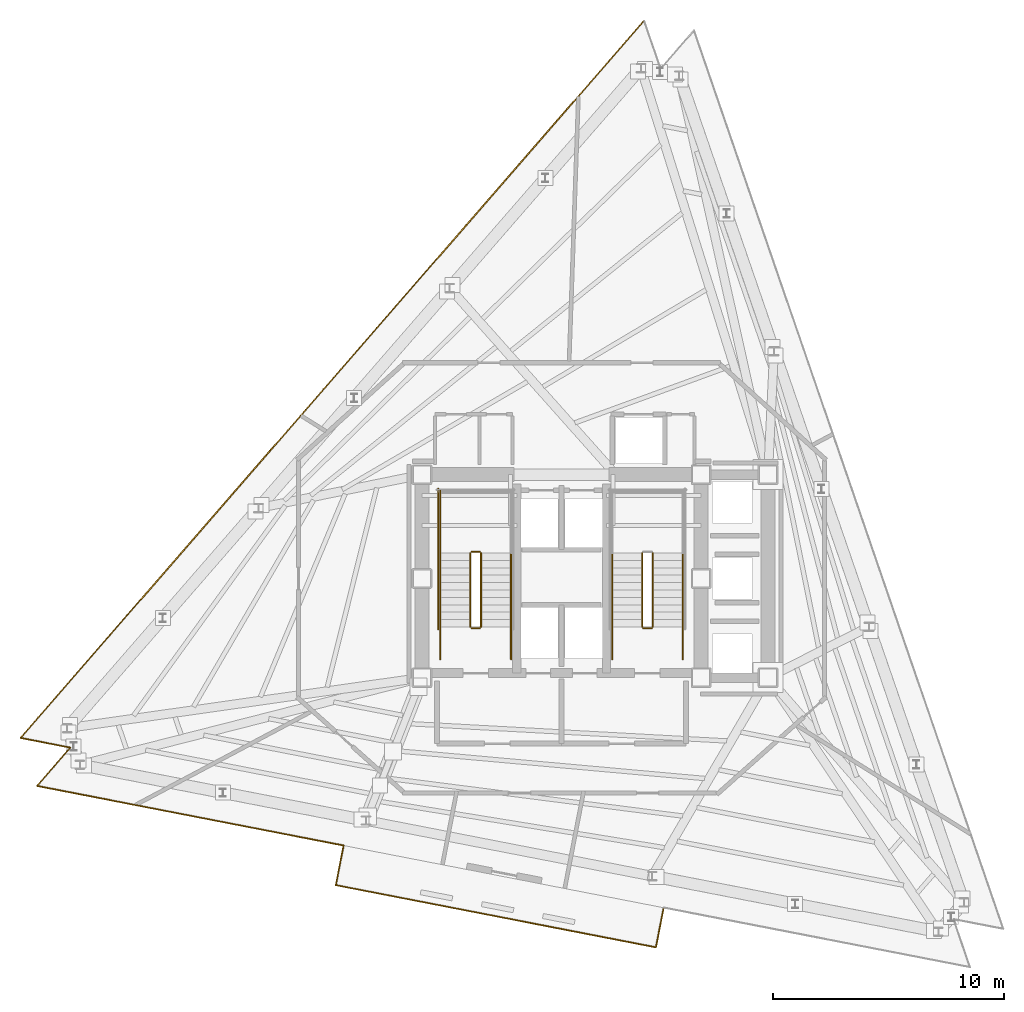
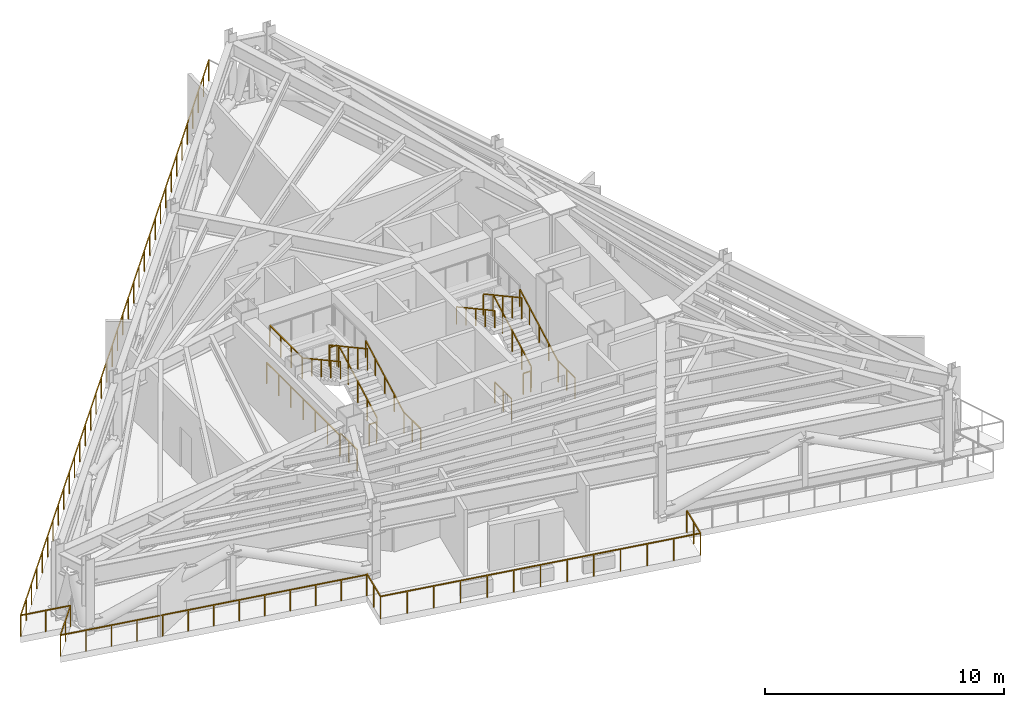
# One storey, part 7 of 8: 22 railings.
"""IFC4 building model written with IfcOpenShell, lengths in metres."""

from ifc_helpers import new_model, si_unit, direction, frame, origin, origin_2d, place, context, subcontext, project, spatial, rectangle, extrude, material, layer, layer_set, type_object, element, save


model = new_model("IFC4")

# Units and contexts
model_context = context("Model", 3, precision=1e-05, world=origin(), true_north=direction((0.0, 1.0)))
body_context = subcontext(model_context, "Body", "Model", "MODEL_VIEW")
ifc_project = project(units=[si_unit("LENGTHUNIT", "METRE"), si_unit("AREAUNIT", "SQUARE_METRE"), si_unit("VOLUMEUNIT", "CUBIC_METRE"), si_unit("PLANEANGLEUNIT", "RADIAN"), si_unit("MASSUNIT", "GRAM", prefix="KILO")], contexts=[model_context])

# Site, building, storey
site_placement = place(None, origin())
site = spatial("IfcSite", under=ifc_project, at=site_placement, CompositionType="ELEMENT")
building_placement = place(site_placement, origin())
building = spatial("IfcBuilding", under=site, at=building_placement, Name="Rocaltana Carrier Exchange", CompositionType="ELEMENT")
storey_placement = place(building_placement, frame((0.0, 0.0, 171.52001953125)))
storey = spatial("IfcBuildingStorey", under=building, at=storey_placement, Name="L54", CompositionType="ELEMENT", Elevation=171.52001953125)

# Railings
ifc_material_1 = material(Name="Anodised Aluminium 6063-T6 & Laminated Glass", Category="aluminium")
ifc_layer_1 = layer(ifc_material_1, 0.070068359375)
ifc_layer_set_1 = layer_set([ifc_layer_1], Name="Anodised Aluminium 6063-T6 & Laminated Glass")
railing_type_1 = type_object("IfcRailingType", Name="Sky-Garden Balustrade Guardrail 1150", PredefinedType="BALUSTRADE", material=ifc_layer_set_1)
railing_1_placement = place(storey_placement, frame((-9.448486328125, -11.573486328125, 0.0)))
element("IfcRailing", 1, at=railing_1_placement, inside=storey, type_object=railing_type_1, Name="L54 Sky Garden Balustrade", PredefinedType="BALUSTRADE", context=body_context, shape_type="SweptSolid", body=[
    extrude(rectangle(XDim=0.048095703125, YDim=0.048095703125, at=origin_2d()), frame((0.0, 0.0, 1.1259765625), z_axis=(-0.190854722299, -0.981618293929, 0.0), x_axis=(0.981618293929, -0.190854722299, 0.0)), (0.0, 0.0, 1.0), 1.75),
    extrude(rectangle(XDim=0.048095703125, YDim=0.048095703125, at=origin_2d()), frame((-0.333984375, -1.7177734375, 1.1259765625), z_axis=(0.981627344662, -0.190808165997, 0.0), x_axis=(0.190808165997, 0.981627344662, 0.0)), (0.0, 0.0, 1.0), 14.133544921875),
    extrude(rectangle(XDim=0.048095703125, YDim=0.048095703125, at=origin_2d()), frame((13.539794921875, -4.41455078125, 1.1259765625), z_axis=(0.190694168235, 0.981649496613, 0.0), x_axis=(-0.981649496613, 0.190694168235, 0.0)), (0.0, 0.0, 1.0), 1.750244140625),
    extrude(rectangle(XDim=0.0419921875, YDim=0.0419921875, at=origin_2d()), origin(), (0.0, 0.0, 1.0), 1.101806640625),
    extrude(rectangle(XDim=0.0419921875, YDim=0.0419921875, at=origin_2d()), frame((-0.1669921875, -0.85888671875, 0.0)), (0.0, 0.0, 1.0), 1.101806640625),
    extrude(rectangle(XDim=0.0419921875, YDim=0.0419921875, at=origin_2d()), frame((-0.333984375, -1.7177734375, 0.0)), (0.0, 0.0, 1.0), 1.101806640625),
    extrude(rectangle(XDim=0.0419921875, YDim=0.0419921875, at=origin_2d()), frame((0.822265625, -1.9423828125, 0.0)), (0.0, 0.0, 1.0), 1.101806640625),
    extrude(rectangle(XDim=0.0419921875, YDim=0.0419921875, at=origin_2d()), frame((1.978271484375, -2.167236328125, 0.0)), (0.0, 0.0, 1.0), 1.101806640625),
    extrude(rectangle(XDim=0.0419921875, YDim=0.0419921875, at=origin_2d()), frame((3.134521484375, -2.39208984375, 0.0)), (0.0, 0.0, 1.0), 1.101806640625),
    extrude(rectangle(XDim=0.0419921875, YDim=0.0419921875, at=origin_2d()), frame((4.29052734375, -2.61669921875, 0.0)), (0.0, 0.0, 1.0), 1.101806640625),
    extrude(rectangle(XDim=0.0419921875, YDim=0.0419921875, at=origin_2d()), frame((5.44677734375, -2.84130859375, 0.0)), (0.0, 0.0, 1.0), 1.101806640625),
    extrude(rectangle(XDim=0.0419921875, YDim=0.0419921875, at=origin_2d()), frame((6.60302734375, -3.066162109375, 0.0)), (0.0, 0.0, 1.0), 1.101806640625),
    extrude(rectangle(XDim=0.0419921875, YDim=0.0419921875, at=origin_2d()), frame((7.759033203125, -3.291015625, 0.0)), (0.0, 0.0, 1.0), 1.101806640625),
    extrude(rectangle(XDim=0.0419921875, YDim=0.0419921875, at=origin_2d()), frame((8.915283203125, -3.515625, 0.0)), (0.0, 0.0, 1.0), 1.101806640625),
    extrude(rectangle(XDim=0.0419921875, YDim=0.0419921875, at=origin_2d()), frame((10.0712890625, -3.740234375, 0.0)), (0.0, 0.0, 1.0), 1.101806640625),
    extrude(rectangle(XDim=0.0419921875, YDim=0.0419921875, at=origin_2d()), frame((11.2275390625, -3.965087890625, 0.0)), (0.0, 0.0, 1.0), 1.101806640625),
    extrude(rectangle(XDim=0.0419921875, YDim=0.0419921875, at=origin_2d()), frame((12.383544921875, -4.18994140625, 0.0)), (0.0, 0.0, 1.0), 1.101806640625),
    extrude(rectangle(XDim=0.0419921875, YDim=0.0419921875, at=origin_2d()), frame((13.539794921875, -4.41455078125, 0.0)), (0.0, 0.0, 1.0), 1.101806640625),
    extrude(rectangle(XDim=0.0419921875, YDim=0.0419921875, at=origin_2d()), frame((13.70654296875, -3.5556640625, 0.0)), (0.0, 0.0, 1.0), 1.101806640625),
    extrude(rectangle(XDim=0.0419921875, YDim=0.0419921875, at=origin_2d()), frame((13.87353515625, -2.696533203125, 0.0)), (0.0, 0.0, 1.0), 1.101806640625),
])
ifc_material_2 = material(Name="Brushed Architectural Stainless Tube", Category="steel")
ifc_layer_2 = layer(ifc_material_2, 0.048095703125)
ifc_layer_set_2 = layer_set([ifc_layer_2], Name="Brushed Architectural Stainless Tube")
railing_type_2 = type_object("IfcRailingType", Name="Stair Wall Handrail 920", PredefinedType="HANDRAIL", material=ifc_layer_set_2)
railing_2_placement = place(storey_placement, frame((-2.18994140625, -2.10009765625, 0.174560546875)))
element("IfcRailing", 2, at=railing_2_placement, inside=storey, type_object=railing_type_2, Name="L54 ST-1 stair handrail 1", PredefinedType="HANDRAIL", context=body_context, shape_type="SweptSolid", body=[
    extrude(rectangle(XDim=0.048095703125, YDim=0.048095703125, at=origin_2d()), frame((0.0, 0.0, 0.8759765625), z_axis=(0.0, 0.877918608156, 0.478809896987), x_axis=(-1.0, 0.0, 0.0)), (0.0, 0.0, 1.0), 3.645263671875),
    extrude(rectangle(XDim=0.0419921875, YDim=0.0419921875, at=origin_2d()), origin(), (0.0, 0.0, 1.0), 0.851806640625),
    extrude(rectangle(XDim=0.0419921875, YDim=0.0419921875, at=origin_2d()), frame((0.0, 0.800048828125, 0.436279296875)), (0.0, 0.0, 1.0), 0.851806640625),
    extrude(rectangle(XDim=0.0419921875, YDim=0.0419921875, at=origin_2d()), frame((0.0, 1.60009765625, 0.87255859375)), (0.0, 0.0, 1.0), 0.851806640625),
    extrude(rectangle(XDim=0.0419921875, YDim=0.0419921875, at=origin_2d()), frame((0.0, 2.400146484375, 1.30908203125)), (0.0, 0.0, 1.0), 0.851806640625),
    extrude(rectangle(XDim=0.0419921875, YDim=0.0419921875, at=origin_2d()), frame((0.0, 3.2001953125, 1.745361328125)), (0.0, 0.0, 1.0), 0.851806640625),
])
railing_3_placement = place(storey_placement, frame((-5.25, 1.10009765625, 2.094482421875)))
element("IfcRailing", 3, at=railing_3_placement, inside=storey, type_object=railing_type_2, Name="L54 ST-1 stair handrail 2", PredefinedType="HANDRAIL", context=body_context, shape_type="SweptSolid", body=[
    extrude(rectangle(XDim=0.048095703125, YDim=0.048095703125, at=origin_2d()), frame((0.0, 0.0, 0.8759765625), z_axis=(0.0, -0.87789045386, 0.478861515494), x_axis=(1.0, 0.0, 0.0)), (0.0, 0.0, 1.0), 3.645263671875),
    extrude(rectangle(XDim=0.0419921875, YDim=0.0419921875, at=origin_2d()), origin(), (0.0, 0.0, 1.0), 0.851806640625),
    extrude(rectangle(XDim=0.0419921875, YDim=0.0419921875, at=origin_2d()), frame((0.0, -0.800048828125, 0.4365234375)), (0.0, 0.0, 1.0), 0.851806640625),
    extrude(rectangle(XDim=0.0419921875, YDim=0.0419921875, at=origin_2d()), frame((0.0, -1.60009765625, 0.872802734375)), (0.0, 0.0, 1.0), 0.851806640625),
    extrude(rectangle(XDim=0.0419921875, YDim=0.0419921875, at=origin_2d()), frame((0.0, -2.400146484375, 1.30908203125)), (0.0, 0.0, 1.0), 0.851806640625),
    extrude(rectangle(XDim=0.0419921875, YDim=0.0419921875, at=origin_2d()), frame((0.0, -3.2001953125, 1.74560546875)), (0.0, 0.0, 1.0), 0.851806640625),
])
railing_4_placement = place(storey_placement, frame((5.25, -2.10009765625, 0.174560546875)))
element("IfcRailing", 4, at=railing_4_placement, inside=storey, type_object=railing_type_2, Name="L54 ST-2 stair handrail 1", PredefinedType="HANDRAIL", context=body_context, shape_type="SweptSolid", body=[
    extrude(rectangle(XDim=0.048095703125, YDim=0.048095703125, at=origin_2d()), frame((0.0, 0.0, 0.8759765625), z_axis=(0.0, 0.877918608156, 0.478809896987), x_axis=(-1.0, 0.0, 0.0)), (0.0, 0.0, 1.0), 3.645263671875),
    extrude(rectangle(XDim=0.0419921875, YDim=0.0419921875, at=origin_2d()), origin(), (0.0, 0.0, 1.0), 0.851806640625),
    extrude(rectangle(XDim=0.0419921875, YDim=0.0419921875, at=origin_2d()), frame((0.0, 0.800048828125, 0.436279296875)), (0.0, 0.0, 1.0), 0.851806640625),
    extrude(rectangle(XDim=0.0419921875, YDim=0.0419921875, at=origin_2d()), frame((0.0, 1.60009765625, 0.87255859375)), (0.0, 0.0, 1.0), 0.851806640625),
    extrude(rectangle(XDim=0.0419921875, YDim=0.0419921875, at=origin_2d()), frame((0.0, 2.400146484375, 1.30908203125)), (0.0, 0.0, 1.0), 0.851806640625),
    extrude(rectangle(XDim=0.0419921875, YDim=0.0419921875, at=origin_2d()), frame((0.0, 3.2001953125, 1.745361328125)), (0.0, 0.0, 1.0), 0.851806640625),
])
railing_5_placement = place(storey_placement, frame((2.18994140625, 1.10009765625, 2.094482421875)))
element("IfcRailing", 5, at=railing_5_placement, inside=storey, type_object=railing_type_2, Name="L54 ST-2 stair handrail 2", PredefinedType="HANDRAIL", context=body_context, shape_type="SweptSolid", body=[
    extrude(rectangle(XDim=0.048095703125, YDim=0.048095703125, at=origin_2d()), frame((0.0, 0.0, 0.8759765625), z_axis=(0.0, -0.87789045386, 0.478861515494), x_axis=(1.0, 0.0, 0.0)), (0.0, 0.0, 1.0), 3.645263671875),
    extrude(rectangle(XDim=0.0419921875, YDim=0.0419921875, at=origin_2d()), origin(), (0.0, 0.0, 1.0), 0.851806640625),
    extrude(rectangle(XDim=0.0419921875, YDim=0.0419921875, at=origin_2d()), frame((0.0, -0.800048828125, 0.4365234375)), (0.0, 0.0, 1.0), 0.851806640625),
    extrude(rectangle(XDim=0.0419921875, YDim=0.0419921875, at=origin_2d()), frame((0.0, -1.60009765625, 0.872802734375)), (0.0, 0.0, 1.0), 0.851806640625),
    extrude(rectangle(XDim=0.0419921875, YDim=0.0419921875, at=origin_2d()), frame((0.0, -2.400146484375, 1.30908203125)), (0.0, 0.0, 1.0), 0.851806640625),
    extrude(rectangle(XDim=0.0419921875, YDim=0.0419921875, at=origin_2d()), frame((0.0, -3.2001953125, 1.74560546875)), (0.0, 0.0, 1.0), 0.851806640625),
])
ifc_material_3 = material(Name="Powder-Coated Aluminium 6063-T6", Category="aluminium")
ifc_layer_3 = layer(ifc_material_3, 0.048095703125)
ifc_layer_set_3 = layer_set([ifc_layer_3], Name="Powder-Coated Aluminium 6063-T6")
railing_type_3 = type_object("IfcRailingType", Name="Stair Well Guardrail 1100", PredefinedType="GUARDRAIL", material=ifc_layer_set_3)
railing_6_placement = place(storey_placement, frame((-3.489990234375, -2.10009765625, 0.174560546875)))
element("IfcRailing", 6, at=railing_6_placement, inside=storey, type_object=railing_type_3, Name="L54 ST-1 stair guard 1", PredefinedType="GUARDRAIL", context=body_context, shape_type="SweptSolid", body=[
    extrude(rectangle(XDim=0.048095703125, YDim=0.048095703125, at=origin_2d()), frame((0.0, 0.0, 1.076171875), z_axis=(0.0, 0.877918608156, 0.478809896987), x_axis=(-1.0, 0.0, 0.0)), (0.0, 0.0, 1.0), 3.645263671875),
    extrude(rectangle(XDim=0.0419921875, YDim=0.0419921875, at=origin_2d()), origin(), (0.0, 0.0, 1.0), 1.052001953125),
    extrude(rectangle(XDim=0.0419921875, YDim=0.0419921875, at=origin_2d()), frame((0.0, 0.800048828125, 0.436279296875)), (0.0, 0.0, 1.0), 1.052001953125),
    extrude(rectangle(XDim=0.0419921875, YDim=0.0419921875, at=origin_2d()), frame((0.0, 1.60009765625, 0.87255859375)), (0.0, 0.0, 1.0), 1.052001953125),
    extrude(rectangle(XDim=0.0419921875, YDim=0.0419921875, at=origin_2d()), frame((0.0, 2.400146484375, 1.30908203125)), (0.0, 0.0, 1.0), 1.052001953125),
    extrude(rectangle(XDim=0.0419921875, YDim=0.0419921875, at=origin_2d()), frame((0.0, 3.2001953125, 1.745361328125)), (0.0, 0.0, 1.0), 1.052001953125),
])
railing_7_placement = place(storey_placement, frame((-3.5400390625, 1.14990234375, 1.919921875)))
element("IfcRailing", 7, at=railing_7_placement, inside=storey, type_object=railing_type_3, Name="L54 ST-1 stair guard 2", PredefinedType="GUARDRAIL", context=body_context, shape_type="SweptSolid", body=[
    extrude(rectangle(XDim=0.048095703125, YDim=0.048095703125, at=origin_2d()), frame((0.0, 0.0, 1.076171875), z_axis=(-1.0, 0.0, 0.0), x_axis=(0.0, -1.0, 0.0)), (0.0, 0.0, 1.0), 0.35986328125),
    extrude(rectangle(XDim=0.0419921875, YDim=0.0419921875, at=origin_2d()), origin(), (0.0, 0.0, 1.0), 1.052001953125),
    extrude(rectangle(XDim=0.0419921875, YDim=0.0419921875, at=origin_2d()), frame((-0.35986328125, 0.0, 0.0)), (0.0, 0.0, 1.0), 1.052001953125),
])
railing_8_placement = place(storey_placement, frame((-5.25, 1.10009765625, 1.919921875)))
element("IfcRailing", 8, at=railing_8_placement, inside=storey, type_object=railing_type_3, Name="L54 ST-1 stair guard 4", PredefinedType="GUARDRAIL", context=body_context, shape_type="SweptSolid", body=[
    extrude(rectangle(XDim=0.048095703125, YDim=0.048095703125, at=origin_2d()), frame((0.0, 0.0, 1.076171875), z_axis=(0.0, 1.0, 0.0), x_axis=(-1.0, 0.0, 0.0)), (0.0, 0.0, 1.0), 2.699951171875),
    extrude(rectangle(XDim=0.0419921875, YDim=0.0419921875, at=origin_2d()), origin(), (0.0, 0.0, 1.0), 1.052001953125),
    extrude(rectangle(XDim=0.0419921875, YDim=0.0419921875, at=origin_2d()), frame((0.0, 0.89990234375, 0.0)), (0.0, 0.0, 1.0), 1.052001953125),
    extrude(rectangle(XDim=0.0419921875, YDim=0.0419921875, at=origin_2d()), frame((0.0, 1.800048828125, 0.0)), (0.0, 0.0, 1.0), 1.052001953125),
    extrude(rectangle(XDim=0.0419921875, YDim=0.0419921875, at=origin_2d()), frame((0.0, 2.699951171875, 0.0)), (0.0, 0.0, 1.0), 1.052001953125),
])
railing_9_placement = place(storey_placement, frame((-3.949951171875, 1.10009765625, 2.094482421875)))
element("IfcRailing", 9, at=railing_9_placement, inside=storey, type_object=railing_type_3, Name="L54 ST-1 stair guard 6", PredefinedType="GUARDRAIL", context=body_context, shape_type="SweptSolid", body=[
    extrude(rectangle(XDim=0.048095703125, YDim=0.048095703125, at=origin_2d()), frame((0.0, 0.0, 1.076171875), z_axis=(0.0, -0.87789045386, 0.478861515494), x_axis=(1.0, 0.0, 0.0)), (0.0, 0.0, 1.0), 3.645263671875),
    extrude(rectangle(XDim=0.0419921875, YDim=0.0419921875, at=origin_2d()), origin(), (0.0, 0.0, 1.0), 1.052001953125),
    extrude(rectangle(XDim=0.0419921875, YDim=0.0419921875, at=origin_2d()), frame((0.0, -0.800048828125, 0.4365234375)), (0.0, 0.0, 1.0), 1.052001953125),
    extrude(rectangle(XDim=0.0419921875, YDim=0.0419921875, at=origin_2d()), frame((0.0, -1.60009765625, 0.872802734375)), (0.0, 0.0, 1.0), 1.052001953125),
    extrude(rectangle(XDim=0.0419921875, YDim=0.0419921875, at=origin_2d()), frame((0.0, -2.400146484375, 1.30908203125)), (0.0, 0.0, 1.0), 1.052001953125),
    extrude(rectangle(XDim=0.0419921875, YDim=0.0419921875, at=origin_2d()), frame((0.0, -3.2001953125, 1.74560546875)), (0.0, 0.0, 1.0), 1.052001953125),
])
railing_10_placement = place(storey_placement, frame((-3.5400390625, -2.14990234375, 0.0)))
element("IfcRailing", 10, at=railing_10_placement, inside=storey, type_object=railing_type_3, Name="L54 ST-1 stair guard 7", PredefinedType="GUARDRAIL", context=body_context, shape_type="SweptSolid", body=[
    extrude(rectangle(XDim=0.048095703125, YDim=0.048095703125, at=origin_2d()), frame((0.0, 0.0, 1.076171875), z_axis=(-1.0, 0.0, 0.0), x_axis=(0.0, -1.0, 0.0)), (0.0, 0.0, 1.0), 0.35986328125),
    extrude(rectangle(XDim=0.0419921875, YDim=0.0419921875, at=origin_2d()), origin(), (0.0, 0.0, 1.0), 1.052001953125),
    extrude(rectangle(XDim=0.0419921875, YDim=0.0419921875, at=origin_2d()), frame((-0.35986328125, 0.0, 0.0)), (0.0, 0.0, 1.0), 1.052001953125),
])
for number, where, name in (
    (11, (-2.18994140625, -3.5, 0.0), "L54 ST-1 stair guard 8"),
    (12, (-5.25, -3.5, 0.0), "L54 ST-1 stair guard 9"),
):
    element("IfcRailing", number, at=place(storey_placement, frame(where)), inside=storey, type_object=railing_type_3, Name=name, PredefinedType="GUARDRAIL", context=body_context, shape_type="SweptSolid", body=[
        extrude(rectangle(XDim=0.048095703125, YDim=0.048095703125, at=origin_2d()), frame((0.0, 0.0, 1.076171875), z_axis=(0.0, 1.0, 0.0), x_axis=(-1.0, 0.0, 0.0)), (0.0, 0.0, 1.0), 1.39990234375),
        extrude(rectangle(XDim=0.0419921875, YDim=0.0419921875, at=origin_2d()), origin(), (0.0, 0.0, 1.0), 1.052001953125),
        extrude(rectangle(XDim=0.0419921875, YDim=0.0419921875, at=origin_2d()), frame((0.0, 0.699951171875, 0.0)), (0.0, 0.0, 1.0), 1.052001953125),
        extrude(rectangle(XDim=0.0419921875, YDim=0.0419921875, at=origin_2d()), frame((0.0, 1.39990234375, 0.0)), (0.0, 0.0, 1.0), 1.052001953125),
    ])
railing_11_placement = place(storey_placement, frame((-5.35009765625, -2.199951171875, 0.0)))
element("IfcRailing", 13, at=railing_11_placement, inside=storey, type_object=railing_type_3, Name="L54 ST-1 stair guard 11", PredefinedType="GUARDRAIL", context=body_context, shape_type="SweptSolid", body=[
    extrude(rectangle(XDim=0.048095703125, YDim=0.048095703125, at=origin_2d()), frame((0.0, 0.0, 1.076171875), z_axis=(0.0, 1.0, 0.0), x_axis=(-1.0, 0.0, 0.0)), (0.0, 0.0, 1.0), 6.099853515625),
    extrude(rectangle(XDim=0.0419921875, YDim=0.0419921875, at=origin_2d()), origin(), (0.0, 0.0, 1.0), 1.052001953125),
    extrude(rectangle(XDim=0.0419921875, YDim=0.0419921875, at=origin_2d()), frame((0.0, 1.0166015625, 0.0)), (0.0, 0.0, 1.0), 1.052001953125),
    extrude(rectangle(XDim=0.0419921875, YDim=0.0419921875, at=origin_2d()), frame((0.0, 2.033203125, 0.0)), (0.0, 0.0, 1.0), 1.052001953125),
    extrude(rectangle(XDim=0.0419921875, YDim=0.0419921875, at=origin_2d()), frame((0.0, 3.0498046875, 0.0)), (0.0, 0.0, 1.0), 1.052001953125),
    extrude(rectangle(XDim=0.0419921875, YDim=0.0419921875, at=origin_2d()), frame((0.0, 4.066650390625, 0.0)), (0.0, 0.0, 1.0), 1.052001953125),
    extrude(rectangle(XDim=0.0419921875, YDim=0.0419921875, at=origin_2d()), frame((0.0, 5.083251953125, 0.0)), (0.0, 0.0, 1.0), 1.052001953125),
    extrude(rectangle(XDim=0.0419921875, YDim=0.0419921875, at=origin_2d()), frame((0.0, 6.099853515625, 0.0)), (0.0, 0.0, 1.0), 1.052001953125),
])
railing_12_placement = place(storey_placement, frame((3.949951171875, -2.10009765625, 0.174560546875)))
element("IfcRailing", 14, at=railing_12_placement, inside=storey, type_object=railing_type_3, Name="L54 ST-2 stair guard 1", PredefinedType="GUARDRAIL", context=body_context, shape_type="SweptSolid", body=[
    extrude(rectangle(XDim=0.048095703125, YDim=0.048095703125, at=origin_2d()), frame((0.0, 0.0, 1.076171875), z_axis=(0.0, 0.877918608156, 0.478809896987), x_axis=(-1.0, 0.0, 0.0)), (0.0, 0.0, 1.0), 3.645263671875),
    extrude(rectangle(XDim=0.0419921875, YDim=0.0419921875, at=origin_2d()), origin(), (0.0, 0.0, 1.0), 1.052001953125),
    extrude(rectangle(XDim=0.0419921875, YDim=0.0419921875, at=origin_2d()), frame((0.0, 0.800048828125, 0.436279296875)), (0.0, 0.0, 1.0), 1.052001953125),
    extrude(rectangle(XDim=0.0419921875, YDim=0.0419921875, at=origin_2d()), frame((0.0, 1.60009765625, 0.87255859375)), (0.0, 0.0, 1.0), 1.052001953125),
    extrude(rectangle(XDim=0.0419921875, YDim=0.0419921875, at=origin_2d()), frame((0.0, 2.400146484375, 1.30908203125)), (0.0, 0.0, 1.0), 1.052001953125),
    extrude(rectangle(XDim=0.0419921875, YDim=0.0419921875, at=origin_2d()), frame((0.0, 3.2001953125, 1.745361328125)), (0.0, 0.0, 1.0), 1.052001953125),
])
railing_13_placement = place(storey_placement, frame((3.489990234375, 1.10009765625, 2.094482421875)))
element("IfcRailing", 15, at=railing_13_placement, inside=storey, type_object=railing_type_3, Name="L54 ST-2 stair guard 6", PredefinedType="GUARDRAIL", context=body_context, shape_type="SweptSolid", body=[
    extrude(rectangle(XDim=0.048095703125, YDim=0.048095703125, at=origin_2d()), frame((0.0, 0.0, 1.076171875), z_axis=(0.0, -0.87789045386, 0.478861515494), x_axis=(1.0, 0.0, 0.0)), (0.0, 0.0, 1.0), 3.645263671875),
    extrude(rectangle(XDim=0.0419921875, YDim=0.0419921875, at=origin_2d()), origin(), (0.0, 0.0, 1.0), 1.052001953125),
    extrude(rectangle(XDim=0.0419921875, YDim=0.0419921875, at=origin_2d()), frame((0.0, -0.800048828125, 0.4365234375)), (0.0, 0.0, 1.0), 1.052001953125),
    extrude(rectangle(XDim=0.0419921875, YDim=0.0419921875, at=origin_2d()), frame((0.0, -1.60009765625, 0.872802734375)), (0.0, 0.0, 1.0), 1.052001953125),
    extrude(rectangle(XDim=0.0419921875, YDim=0.0419921875, at=origin_2d()), frame((0.0, -2.400146484375, 1.30908203125)), (0.0, 0.0, 1.0), 1.052001953125),
    extrude(rectangle(XDim=0.0419921875, YDim=0.0419921875, at=origin_2d()), frame((0.0, -3.2001953125, 1.74560546875)), (0.0, 0.0, 1.0), 1.052001953125),
])
railing_14_placement = place(storey_placement, frame((3.89990234375, -2.14990234375, 0.0)))
element("IfcRailing", 16, at=railing_14_placement, inside=storey, type_object=railing_type_3, Name="L54 ST-2 stair guard 7", PredefinedType="GUARDRAIL", context=body_context, shape_type="SweptSolid", body=[
    extrude(rectangle(XDim=0.048095703125, YDim=0.048095703125, at=origin_2d()), frame((0.0, 0.0, 1.076171875), z_axis=(-1.0, 0.0, 0.0), x_axis=(0.0, -1.0, 0.0)), (0.0, 0.0, 1.0), 0.35986328125),
    extrude(rectangle(XDim=0.0419921875, YDim=0.0419921875, at=origin_2d()), origin(), (0.0, 0.0, 1.0), 1.052001953125),
    extrude(rectangle(XDim=0.0419921875, YDim=0.0419921875, at=origin_2d()), frame((-0.35986328125, 0.0, 0.0)), (0.0, 0.0, 1.0), 1.052001953125),
])
for number, where, name in (
    (17, (5.25, -3.5, 0.0), "L54 ST-2 stair guard 8"),
    (18, (2.18994140625, -3.5, 0.0), "L54 ST-2 stair guard 9"),
):
    element("IfcRailing", number, at=place(storey_placement, frame(where)), inside=storey, type_object=railing_type_3, Name=name, PredefinedType="GUARDRAIL", context=body_context, shape_type="SweptSolid", body=[
        extrude(rectangle(XDim=0.048095703125, YDim=0.048095703125, at=origin_2d()), frame((0.0, 0.0, 1.076171875), z_axis=(0.0, 1.0, 0.0), x_axis=(-1.0, 0.0, 0.0)), (0.0, 0.0, 1.0), 1.39990234375),
        extrude(rectangle(XDim=0.0419921875, YDim=0.0419921875, at=origin_2d()), origin(), (0.0, 0.0, 1.0), 1.052001953125),
        extrude(rectangle(XDim=0.0419921875, YDim=0.0419921875, at=origin_2d()), frame((0.0, 0.699951171875, 0.0)), (0.0, 0.0, 1.0), 1.052001953125),
        extrude(rectangle(XDim=0.0419921875, YDim=0.0419921875, at=origin_2d()), frame((0.0, 1.39990234375, 0.0)), (0.0, 0.0, 1.0), 1.052001953125),
    ])
ifc_material_4 = material(Name="Powder-Coated Aluminium 6063-T6", Category="aluminium")
ifc_layer_4 = layer(ifc_material_4, 0.06005859375)
ifc_layer_set_4 = layer_set([ifc_layer_4], Name="Powder-Coated Aluminium 6063-T6")
railing_type_4 = type_object("IfcRailingType", Name="Wind-Floor & Terrace Perimeter Guardrail 1100", PredefinedType="GUARDRAIL", material=ifc_layer_set_4)
railing_15_placement = place(storey_placement, frame((3.580078125, 24.18310546875, 0.0)))
element("IfcRailing", 19, at=railing_15_placement, inside=storey, type_object=railing_type_4, Name="L54 Wind Perimeter Guardrail 6", PredefinedType="GUARDRAIL", context=body_context, shape_type="SweptSolid", body=[
    extrude(rectangle(XDim=0.048095703125, YDim=0.048095703125, at=origin_2d()), frame((0.0, 0.0, 1.076171875), z_axis=(-0.656058258712, -0.754710249815, 0.0), x_axis=(0.754710249815, -0.656058258712, 0.0)), (0.0, 0.0, 1.0), 41.199951171875),
    extrude(rectangle(XDim=0.0419921875, YDim=0.0419921875, at=origin_2d()), origin(), (0.0, 0.0, 1.0), 1.052001953125),
    extrude(rectangle(XDim=0.0419921875, YDim=0.0419921875, at=origin_2d()), frame((-0.772216796875, -0.888427734375, 0.0)), (0.0, 0.0, 1.0), 1.052001953125),
    extrude(rectangle(XDim=0.0419921875, YDim=0.0419921875, at=origin_2d()), frame((-1.54443359375, -1.77685546875, 0.0)), (0.0, 0.0, 1.0), 1.052001953125),
    extrude(rectangle(XDim=0.0419921875, YDim=0.0419921875, at=origin_2d()), frame((-2.31689453125, -2.665283203125, 0.0)), (0.0, 0.0, 1.0), 1.052001953125),
    extrude(rectangle(XDim=0.0419921875, YDim=0.0419921875, at=origin_2d()), frame((-3.089111328125, -3.5537109375, 0.0)), (0.0, 0.0, 1.0), 1.052001953125),
    extrude(rectangle(XDim=0.0419921875, YDim=0.0419921875, at=origin_2d()), frame((-3.861328125, -4.44189453125, 0.0)), (0.0, 0.0, 1.0), 1.052001953125),
    extrude(rectangle(XDim=0.0419921875, YDim=0.0419921875, at=origin_2d()), frame((-4.633544921875, -5.330322265625, 0.0)), (0.0, 0.0, 1.0), 1.052001953125),
    extrude(rectangle(XDim=0.0419921875, YDim=0.0419921875, at=origin_2d()), frame((-5.406005859375, -6.21875, 0.0)), (0.0, 0.0, 1.0), 1.052001953125),
    extrude(rectangle(XDim=0.0419921875, YDim=0.0419921875, at=origin_2d()), frame((-6.17822265625, -7.107177734375, 0.0)), (0.0, 0.0, 1.0), 1.052001953125),
    extrude(rectangle(XDim=0.0419921875, YDim=0.0419921875, at=origin_2d()), frame((-6.950439453125, -7.99560546875, 0.0)), (0.0, 0.0, 1.0), 1.052001953125),
    extrude(rectangle(XDim=0.0419921875, YDim=0.0419921875, at=origin_2d()), frame((-7.72265625, -8.884033203125, 0.0)), (0.0, 0.0, 1.0), 1.052001953125),
    extrude(rectangle(XDim=0.0419921875, YDim=0.0419921875, at=origin_2d()), frame((-8.4951171875, -9.7724609375, 0.0)), (0.0, 0.0, 1.0), 1.052001953125),
    extrude(rectangle(XDim=0.0419921875, YDim=0.0419921875, at=origin_2d()), frame((-9.267333984375, -10.660888671875, 0.0)), (0.0, 0.0, 1.0), 1.052001953125),
    extrude(rectangle(XDim=0.0419921875, YDim=0.0419921875, at=origin_2d()), frame((-10.03955078125, -11.54931640625, 0.0)), (0.0, 0.0, 1.0), 1.052001953125),
    extrude(rectangle(XDim=0.0419921875, YDim=0.0419921875, at=origin_2d()), frame((-10.811767578125, -12.4375, 0.0)), (0.0, 0.0, 1.0), 1.052001953125),
    extrude(rectangle(XDim=0.0419921875, YDim=0.0419921875, at=origin_2d()), frame((-11.583984375, -13.325927734375, 0.0)), (0.0, 0.0, 1.0), 1.052001953125),
    extrude(rectangle(XDim=0.0419921875, YDim=0.0419921875, at=origin_2d()), frame((-12.3564453125, -14.21435546875, 0.0)), (0.0, 0.0, 1.0), 1.052001953125),
    extrude(rectangle(XDim=0.0419921875, YDim=0.0419921875, at=origin_2d()), frame((-13.128662109375, -15.102783203125, 0.0)), (0.0, 0.0, 1.0), 1.052001953125),
    extrude(rectangle(XDim=0.0419921875, YDim=0.0419921875, at=origin_2d()), frame((-13.90087890625, -15.9912109375, 0.0)), (0.0, 0.0, 1.0), 1.052001953125),
    extrude(rectangle(XDim=0.0419921875, YDim=0.0419921875, at=origin_2d()), frame((-14.673095703125, -16.879638671875, 0.0)), (0.0, 0.0, 1.0), 1.052001953125),
    extrude(rectangle(XDim=0.0419921875, YDim=0.0419921875, at=origin_2d()), frame((-15.445556640625, -17.76806640625, 0.0)), (0.0, 0.0, 1.0), 1.052001953125),
    extrude(rectangle(XDim=0.0419921875, YDim=0.0419921875, at=origin_2d()), frame((-16.2177734375, -18.656494140625, 0.0)), (0.0, 0.0, 1.0), 1.052001953125),
    extrude(rectangle(XDim=0.0419921875, YDim=0.0419921875, at=origin_2d()), frame((-16.989990234375, -19.544677734375, 0.0)), (0.0, 0.0, 1.0), 1.052001953125),
    extrude(rectangle(XDim=0.0419921875, YDim=0.0419921875, at=origin_2d()), frame((-17.76220703125, -20.43310546875, 0.0)), (0.0, 0.0, 1.0), 1.052001953125),
    extrude(rectangle(XDim=0.0419921875, YDim=0.0419921875, at=origin_2d()), frame((-18.534423828125, -21.321533203125, 0.0)), (0.0, 0.0, 1.0), 1.052001953125),
    extrude(rectangle(XDim=0.0419921875, YDim=0.0419921875, at=origin_2d()), frame((-19.306884765625, -22.2099609375, 0.0)), (0.0, 0.0, 1.0), 1.052001953125),
    extrude(rectangle(XDim=0.0419921875, YDim=0.0419921875, at=origin_2d()), frame((-20.0791015625, -23.098388671875, 0.0)), (0.0, 0.0, 1.0), 1.052001953125),
    extrude(rectangle(XDim=0.0419921875, YDim=0.0419921875, at=origin_2d()), frame((-20.851318359375, -23.98681640625, 0.0)), (0.0, 0.0, 1.0), 1.052001953125),
    extrude(rectangle(XDim=0.0419921875, YDim=0.0419921875, at=origin_2d()), frame((-21.62353515625, -24.875244140625, 0.0)), (0.0, 0.0, 1.0), 1.052001953125),
    extrude(rectangle(XDim=0.0419921875, YDim=0.0419921875, at=origin_2d()), frame((-22.39599609375, -25.763671875, 0.0)), (0.0, 0.0, 1.0), 1.052001953125),
    extrude(rectangle(XDim=0.0419921875, YDim=0.0419921875, at=origin_2d()), frame((-23.168212890625, -26.652099609375, 0.0)), (0.0, 0.0, 1.0), 1.052001953125),
    extrude(rectangle(XDim=0.0419921875, YDim=0.0419921875, at=origin_2d()), frame((-23.9404296875, -27.540283203125, 0.0)), (0.0, 0.0, 1.0), 1.052001953125),
    extrude(rectangle(XDim=0.0419921875, YDim=0.0419921875, at=origin_2d()), frame((-24.712646484375, -28.4287109375, 0.0)), (0.0, 0.0, 1.0), 1.052001953125),
    extrude(rectangle(XDim=0.0419921875, YDim=0.0419921875, at=origin_2d()), frame((-25.485107421875, -29.317138671875, 0.0)), (0.0, 0.0, 1.0), 1.052001953125),
    extrude(rectangle(XDim=0.0419921875, YDim=0.0419921875, at=origin_2d()), frame((-26.25732421875, -30.20556640625, 0.0)), (0.0, 0.0, 1.0), 1.052001953125),
    extrude(rectangle(XDim=0.0419921875, YDim=0.0419921875, at=origin_2d()), frame((-27.029541015625, -31.093994140625, 0.0)), (0.0, 0.0, 1.0), 1.052001953125),
])
railing_16_placement = place(storey_placement, frame((-23.449462890625, -6.910888671875, 0.0)))
element("IfcRailing", 20, at=railing_16_placement, inside=storey, type_object=railing_type_4, Name="L54 Wind Perimeter Guardrail 7", PredefinedType="GUARDRAIL", context=body_context, shape_type="SweptSolid", body=[
    extrude(rectangle(XDim=0.048095703125, YDim=0.048095703125, at=origin_2d()), frame((0.0, 0.0, 1.076171875), z_axis=(0.9816165447, -0.190863718843, 0.0), x_axis=(0.190863718843, 0.9816165447, 0.0)), (0.0, 0.0, 1.0), 2.2001953125),
    extrude(rectangle(XDim=0.0419921875, YDim=0.0419921875, at=origin_2d()), origin(), (0.0, 0.0, 1.0), 1.052001953125),
    extrude(rectangle(XDim=0.0419921875, YDim=0.0419921875, at=origin_2d()), frame((1.079833984375, -0.2099609375, 0.0)), (0.0, 0.0, 1.0), 1.052001953125),
    extrude(rectangle(XDim=0.0419921875, YDim=0.0419921875, at=origin_2d()), frame((2.15966796875, -0.419921875, 0.0)), (0.0, 0.0, 1.0), 1.052001953125),
])
railing_17_placement = place(storey_placement, frame((-21.289794921875, -7.330810546875, 0.0)))
element("IfcRailing", 21, at=railing_17_placement, inside=storey, type_object=railing_type_4, Name="L54 Wind Perimeter Guardrail 8", PredefinedType="GUARDRAIL", context=body_context, shape_type="SweptSolid", body=[
    extrude(rectangle(XDim=0.048095703125, YDim=0.048095703125, at=origin_2d()), frame((0.0, 0.0, 1.076171875), z_axis=(-0.656121022084, -0.754655685979, 0.0), x_axis=(0.754655685979, -0.656121022084, 0.0)), (0.0, 0.0, 1.0), 2.2001953125),
    extrude(rectangle(XDim=0.0419921875, YDim=0.0419921875, at=origin_2d()), origin(), (0.0, 0.0, 1.0), 1.052001953125),
    extrude(rectangle(XDim=0.0419921875, YDim=0.0419921875, at=origin_2d()), frame((-0.7216796875, -0.830078125, 0.0)), (0.0, 0.0, 1.0), 1.052001953125),
    extrude(rectangle(XDim=0.0419921875, YDim=0.0419921875, at=origin_2d()), frame((-1.443603515625, -1.660400390625, 0.0)), (0.0, 0.0, 1.0), 1.052001953125),
])
railing_18_placement = place(storey_placement, frame((-22.7333984375, -8.9912109375, 0.0)))
element("IfcRailing", 22, at=railing_18_placement, inside=storey, type_object=railing_type_4, Name="L54 Wind Perimeter Guardrail 9A", PredefinedType="GUARDRAIL", context=body_context, shape_type="SweptSolid", body=[
    extrude(rectangle(XDim=0.048095703125, YDim=0.048095703125, at=origin_2d()), frame((0.0, 0.0, 1.076171875), z_axis=(0.981627874497, -0.190805440201, 0.0), x_axis=(0.190805440201, 0.981627874497, 0.0)), (0.0, 0.0, 1.0), 13.533447265625),
    extrude(rectangle(XDim=0.0419921875, YDim=0.0419921875, at=origin_2d()), origin(), (0.0, 0.0, 1.0), 1.052001953125),
    extrude(rectangle(XDim=0.0419921875, YDim=0.0419921875, at=origin_2d()), frame((1.107177734375, -0.215087890625, 0.0)), (0.0, 0.0, 1.0), 1.052001953125),
    extrude(rectangle(XDim=0.0419921875, YDim=0.0419921875, at=origin_2d()), frame((2.214111328125, -0.430419921875, 0.0)), (0.0, 0.0, 1.0), 1.052001953125),
    extrude(rectangle(XDim=0.0419921875, YDim=0.0419921875, at=origin_2d()), frame((3.3212890625, -0.6455078125, 0.0)), (0.0, 0.0, 1.0), 1.052001953125),
    extrude(rectangle(XDim=0.0419921875, YDim=0.0419921875, at=origin_2d()), frame((4.42822265625, -0.86083984375, 0.0)), (0.0, 0.0, 1.0), 1.052001953125),
    extrude(rectangle(XDim=0.0419921875, YDim=0.0419921875, at=origin_2d()), frame((5.535400390625, -1.075927734375, 0.0)), (0.0, 0.0, 1.0), 1.052001953125),
    extrude(rectangle(XDim=0.0419921875, YDim=0.0419921875, at=origin_2d()), frame((6.642578125, -1.291015625, 0.0)), (0.0, 0.0, 1.0), 1.052001953125),
    extrude(rectangle(XDim=0.0419921875, YDim=0.0419921875, at=origin_2d()), frame((7.74951171875, -1.50634765625, 0.0)), (0.0, 0.0, 1.0), 1.052001953125),
    extrude(rectangle(XDim=0.0419921875, YDim=0.0419921875, at=origin_2d()), frame((8.856689453125, -1.721435546875, 0.0)), (0.0, 0.0, 1.0), 1.052001953125),
    extrude(rectangle(XDim=0.0419921875, YDim=0.0419921875, at=origin_2d()), frame((9.963623046875, -1.936767578125, 0.0)), (0.0, 0.0, 1.0), 1.052001953125),
    extrude(rectangle(XDim=0.0419921875, YDim=0.0419921875, at=origin_2d()), frame((11.07080078125, -2.15185546875, 0.0)), (0.0, 0.0, 1.0), 1.052001953125),
    extrude(rectangle(XDim=0.0419921875, YDim=0.0419921875, at=origin_2d()), frame((12.177734375, -2.3671875, 0.0)), (0.0, 0.0, 1.0), 1.052001953125),
    extrude(rectangle(XDim=0.0419921875, YDim=0.0419921875, at=origin_2d()), frame((13.284912109375, -2.582275390625, 0.0)), (0.0, 0.0, 1.0), 1.052001953125),
])

save(model, "model.ifc")
